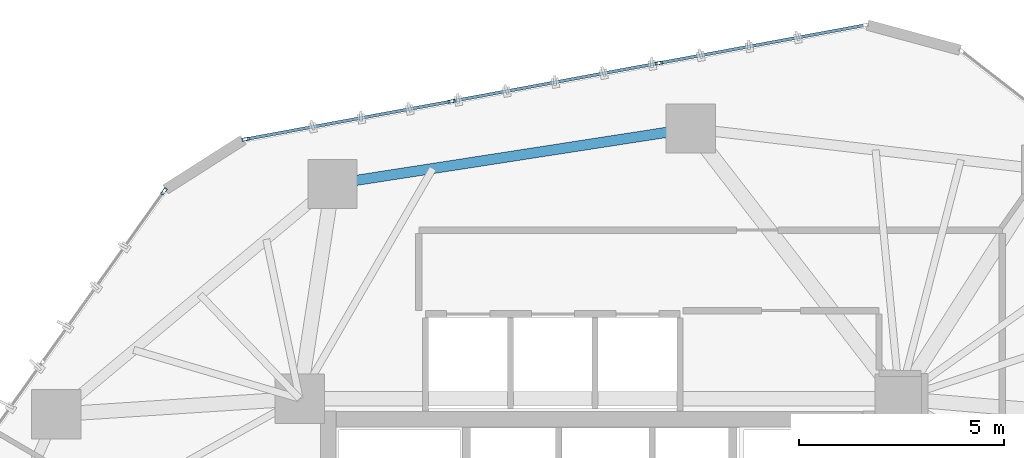
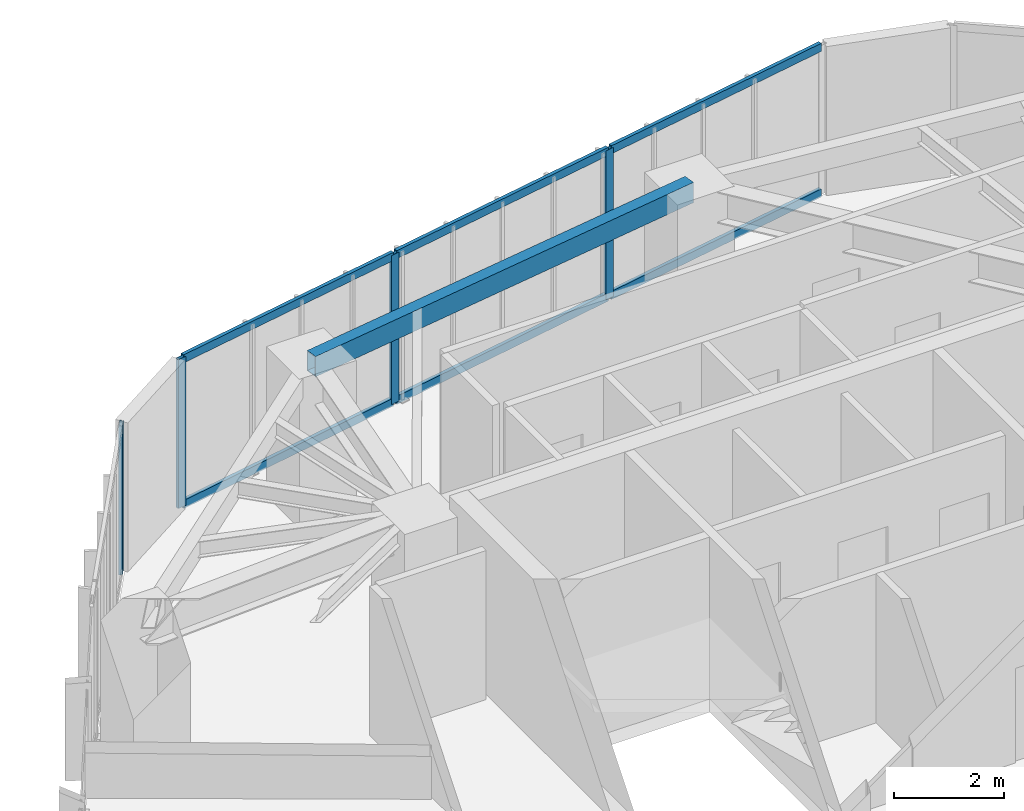
# One storey, part 14 of 22: 10 members, 1 beam, 2 elements without a shape of their own.
"""IFC4 building model written with IfcOpenShell, lengths in metres."""

from ifc_helpers import new_model, si_unit, direction, frame, origin, origin_2d, place, context, subcontext, project, spatial, hollow_rectangle, extrude, source, transform, mapped, material, layer, layer_set, material_profile, profile_set, type_object, type_shapes, element, aggregate, save


model = new_model("IFC4")

# Units and contexts
model_context = context("Model", 3, precision=1e-05, world=origin(), true_north=direction((0.0, 1.0)))
body_context = subcontext(model_context, "Body", "Model", "MODEL_VIEW")
ifc_project = project(units=[si_unit("LENGTHUNIT", "METRE"), si_unit("AREAUNIT", "SQUARE_METRE"), si_unit("VOLUMEUNIT", "CUBIC_METRE"), si_unit("PLANEANGLEUNIT", "RADIAN"), si_unit("MASSUNIT", "GRAM", prefix="KILO")], contexts=[model_context])

# Site, building, storey
site_placement = place(None, origin())
site = spatial("IfcSite", under=ifc_project, at=site_placement, CompositionType="ELEMENT")
building_placement = place(site_placement, origin())
building = spatial("IfcBuilding", under=site, at=building_placement, Name="Talar Marvaseh", CompositionType="ELEMENT")
storey_placement = place(building_placement, frame((0.0, 0.0, 121.800048828125)))
storey = spatial("IfcBuildingStorey", under=building, at=storey_placement, Name="L31", CompositionType="ELEMENT", Elevation=121.800048828125)

# Beam
ifc_material_1 = material(Name="Steel S355", Category="steel")
ifc_material_profile_1 = material_profile(ifc_material_1, hollow_rectangle(XDim=0.25, YDim=0.449951171875, WallThickness=0.01611328125, at=origin_2d()), Name="RHS450x250x16")
ifc_profile_set_1 = profile_set([ifc_material_profile_1], Name="Steel S355")
beam_type = type_object("IfcBeamType", Name="Zone 2 Perimeter Spandrel Beam RHS450x250x16", PredefinedType="SPANDREL", material=ifc_profile_set_1)
beam_placement = place(storey_placement, frame((19.5009765625, 42.123046875, 3.0849609375), z_axis=(0.988248879948, 0.152853365295, 0.0), x_axis=(-0.152853365295, 0.988248879948, 0.0)))
element("IfcBeam", 1, at=beam_placement, inside=storey, type_object=beam_type, Name="L31 Zone 2 Perimeter Spandrel Beam RHS450x250x16", PredefinedType="SPANDREL", context=body_context, shape_type="SweptSolid", body=[
    extrude(hollow_rectangle(XDim=0.25, YDim=0.449951171875, WallThickness=0.01611328125, at=origin_2d()), origin(), (0.0, 0.0, 1.0), 8.82470703125),
])

# Curtain wall, member
ifc_material_2 = material(Name="Architectural Aluminium", Category="aluminium")
ifc_layer = layer(ifc_material_2, 0.199951171875)
ifc_layer_set = layer_set([ifc_layer], Name="Architectural Aluminium")
curtain_wall_type = type_object("IfcCurtainWallType", Name="Unitised Acoustic Library Curtain Wall Z2", PredefinedType="NOTDEFINED", material=ifc_layer_set)
curtain_wall_1_placement = place(storey_placement, origin())
curtain_wall_1 = element("IfcCurtainWall", 2, at=curtain_wall_1_placement, inside=storey, type_object=curtain_wall_type, Name="L31 Unitised Acoustic Library Curtain Wall Z2", PredefinedType="NOTDEFINED")
ifc_material_profile_2 = material_profile(ifc_material_2, hollow_rectangle(XDim=0.074951171875, YDim=0.179931640625, WallThickness=0.0048828125, at=origin_2d()), Name="RHS180x75x5")
ifc_profile_set_2 = profile_set([ifc_material_profile_2], Name="Architectural Aluminium")
member_type_1 = type_object("IfcMemberType", Name="Unitised Curtain Wall Standard Mullion RHS180x75x5", PredefinedType="MULLION", material=ifc_profile_set_2)
shared_shape_1 = source(origin(), body_context, "Body", "SweptSolid", [
    extrude(hollow_rectangle(XDim=0.074951171875, YDim=0.179931640625, WallThickness=0.0048828125, at=origin_2d()), origin(), (0.0, 0.0, 1.0), 3.31005859375),
])
type_shapes(member_type_1, [shared_shape_1])
member_1_placement = place(storey_placement, frame((15.398681640625, 41.94482421875, 0.0), z_axis=(0.0, 0.0, 1.0), x_axis=(-0.814803767778, 0.579736854112, 0.0)))
member_1 = element("IfcMember", 3, at=member_1_placement, type_object=member_type_1, Name="CW-Z2 mullion 4", PredefinedType="MULLION", context=body_context, shape_type="MappedRepresentation", body=[
    mapped(shared_shape_1, transform((0.0, 0.0, 0.0), x_axis=(1.0, 0.0, 0.0), y_axis=(0.0, 1.0, 0.0), z_axis=(0.0, 0.0, 1.0), scale=1.0)),
])
aggregate(curtain_wall_1, [member_1])

# Curtain wall, members
curtain_wall_2_placement = place(storey_placement, origin())
curtain_wall_2 = element("IfcCurtainWall", 4, at=curtain_wall_2_placement, inside=storey, type_object=curtain_wall_type, Name="L31 Unitised Acoustic Library Curtain Wall Z2", PredefinedType="NOTDEFINED")
member_2_placement = place(storey_placement, frame((17.388671875, 43.212646484375, 0.0), z_axis=(0.0, 0.0, 1.0), x_axis=(-0.181070973681, 0.983470031313, 0.0)))
member_2 = element("IfcMember", 5, at=member_2_placement, type_object=member_type_1, Name="CW-Z2 mullion 1", PredefinedType="MULLION", context=body_context, shape_type="MappedRepresentation", body=[
    mapped(shared_shape_1, transform((0.0, 0.0, 0.0), x_axis=(1.0, 0.0, 0.0), y_axis=(0.0, 1.0, 0.0), z_axis=(0.0, 0.0, 1.0), scale=1.0)),
])
member_3_placement = place(storey_placement, frame((22.397216796875, 44.134765625, 0.0), z_axis=(0.0, 0.0, 1.0), x_axis=(-0.181070973681, 0.983470031313, 0.0)))
member_3 = element("IfcMember", 6, at=member_3_placement, type_object=member_type_1, Name="CW-Z2 mullion 2", PredefinedType="MULLION", context=body_context, shape_type="MappedRepresentation", body=[
    mapped(shared_shape_1, transform((0.0, 0.0, 0.0), x_axis=(1.0, 0.0, 0.0), y_axis=(0.0, 1.0, 0.0), z_axis=(0.0, 0.0, 1.0), scale=1.0)),
])
member_4_placement = place(storey_placement, frame((27.4423828125, 45.063720703125, 0.0), z_axis=(0.0, 0.0, 1.0), x_axis=(-0.181070973681, 0.983470031313, 0.0)))
member_4 = element("IfcMember", 7, at=member_4_placement, type_object=member_type_1, Name="CW-Z2 mullion 3", PredefinedType="MULLION", context=body_context, shape_type="MappedRepresentation", body=[
    mapped(shared_shape_1, transform((0.0, 0.0, 0.0), x_axis=(1.0, 0.0, 0.0), y_axis=(0.0, 1.0, 0.0), z_axis=(0.0, 0.0, 1.0), scale=1.0)),
])
ifc_material_profile_3 = material_profile(ifc_material_2, hollow_rectangle(XDim=0.074951171875, YDim=0.179931640625, WallThickness=0.0048828125, at=origin_2d()), Name="RHS180x75x5")
ifc_profile_set_3 = profile_set([ifc_material_profile_3], Name="Architectural Aluminium")
member_type_2 = type_object("IfcMemberType", Name="Unitised Curtain Wall Transom RHS180x75x5", PredefinedType="USERDEFINED", material=ifc_profile_set_3)
shared_shape_2 = source(origin(), body_context, "Body", "SweptSolid", [
    extrude(hollow_rectangle(XDim=0.074951171875, YDim=0.179931640625, WallThickness=0.0048828125, at=origin_2d()), origin(), (0.0, 0.0, 1.0), 5.017578125),
])
member_5_placement = place(storey_placement, frame((17.42578125, 43.219482421875, 0.037353515625), z_axis=(0.983472802404, 0.181055922113, 0.0), x_axis=(-0.181055922113, 0.983472802404, 0.0)))
member_5 = element("IfcMember", 8, at=member_5_placement, type_object=member_type_2, Name="CW-Z2 transom 1.1", ObjectType="TRANSOM", PredefinedType="USERDEFINED", context=body_context, shape_type="MappedRepresentation", body=[
    mapped(shared_shape_2, transform((0.0, 0.0, 0.0), x_axis=(1.0, 0.0, 0.0), y_axis=(0.0, 1.0, 0.0), z_axis=(0.0, 0.0, 1.0), scale=1.0)),
])
member_6_placement = place(storey_placement, frame((17.42578125, 43.219482421875, 3.2724609375), z_axis=(0.983472802404, 0.181055922113, 0.0), x_axis=(-0.181055922113, 0.983472802404, 0.0)))
member_6 = element("IfcMember", 9, at=member_6_placement, type_object=member_type_2, Name="CW-Z2 transom 1.2", ObjectType="TRANSOM", PredefinedType="USERDEFINED", context=body_context, shape_type="MappedRepresentation", body=[
    mapped(shared_shape_2, transform((0.0, 0.0, 0.0), x_axis=(1.0, 0.0, 0.0), y_axis=(0.0, 1.0, 0.0), z_axis=(0.0, 0.0, 1.0), scale=1.0)),
])
member_7_placement = place(storey_placement, frame((27.479248046875, 45.070556640625, 0.037353515625), z_axis=(0.983472802404, 0.181055922113, 0.0), x_axis=(-0.181055922113, 0.983472802404, 0.0)))
member_7 = element("IfcMember", 10, at=member_7_placement, type_object=member_type_2, Name="CW-Z2 transom 3.1", ObjectType="TRANSOM", PredefinedType="USERDEFINED", context=body_context, shape_type="MappedRepresentation", body=[
    mapped(shared_shape_2, transform((0.0, 0.0, 0.0), x_axis=(1.0, 0.0, 0.0), y_axis=(0.0, 1.0, 0.0), z_axis=(0.0, 0.0, 1.0), scale=1.0)),
])
member_8_placement = place(storey_placement, frame((27.479248046875, 45.070556640625, 3.2724609375), z_axis=(0.983472802404, 0.181055922113, 0.0), x_axis=(-0.181055922113, 0.983472802404, 0.0)))
member_8 = element("IfcMember", 11, at=member_8_placement, type_object=member_type_2, Name="CW-Z2 transom 3.2", ObjectType="TRANSOM", PredefinedType="USERDEFINED", context=body_context, shape_type="MappedRepresentation", body=[
    mapped(shared_shape_2, transform((0.0, 0.0, 0.0), x_axis=(1.0, 0.0, 0.0), y_axis=(0.0, 1.0, 0.0), z_axis=(0.0, 0.0, 1.0), scale=1.0)),
])
shared_shape_3 = source(origin(), body_context, "Body", "SweptSolid", [
    extrude(hollow_rectangle(XDim=0.074951171875, YDim=0.179931640625, WallThickness=0.0048828125, at=origin_2d()), origin(), (0.0, 0.0, 1.0), 5.054931640625),
])
type_shapes(member_type_2, [shared_shape_2, shared_shape_3])
member_9_placement = place(storey_placement, frame((22.43408203125, 44.1416015625, 0.037353515625), z_axis=(0.983471072757, 0.181065317083, 0.0), x_axis=(-0.181065317083, 0.983471072757, 0.0)))
member_9 = element("IfcMember", 12, at=member_9_placement, type_object=member_type_2, Name="CW-Z2 transom 2.1", ObjectType="TRANSOM", PredefinedType="USERDEFINED", context=body_context, shape_type="MappedRepresentation", body=[
    mapped(shared_shape_3, transform((0.0, 0.0, 0.0), x_axis=(1.0, 0.0, 0.0), y_axis=(0.0, 1.0, 0.0), z_axis=(0.0, 0.0, 1.0), scale=1.0)),
])
member_10_placement = place(storey_placement, frame((22.43408203125, 44.1416015625, 3.2724609375), z_axis=(0.983471072757, 0.181065317083, 0.0), x_axis=(-0.181065317083, 0.983471072757, 0.0)))
member_10 = element("IfcMember", 13, at=member_10_placement, type_object=member_type_2, Name="CW-Z2 transom 2.2", ObjectType="TRANSOM", PredefinedType="USERDEFINED", context=body_context, shape_type="MappedRepresentation", body=[
    mapped(shared_shape_3, transform((0.0, 0.0, 0.0), x_axis=(1.0, 0.0, 0.0), y_axis=(0.0, 1.0, 0.0), z_axis=(0.0, 0.0, 1.0), scale=1.0)),
])
aggregate(curtain_wall_2, [member_2, member_3, member_4, member_5, member_6, member_9, member_10, member_7, member_8])

save(model, "model.ifc")
